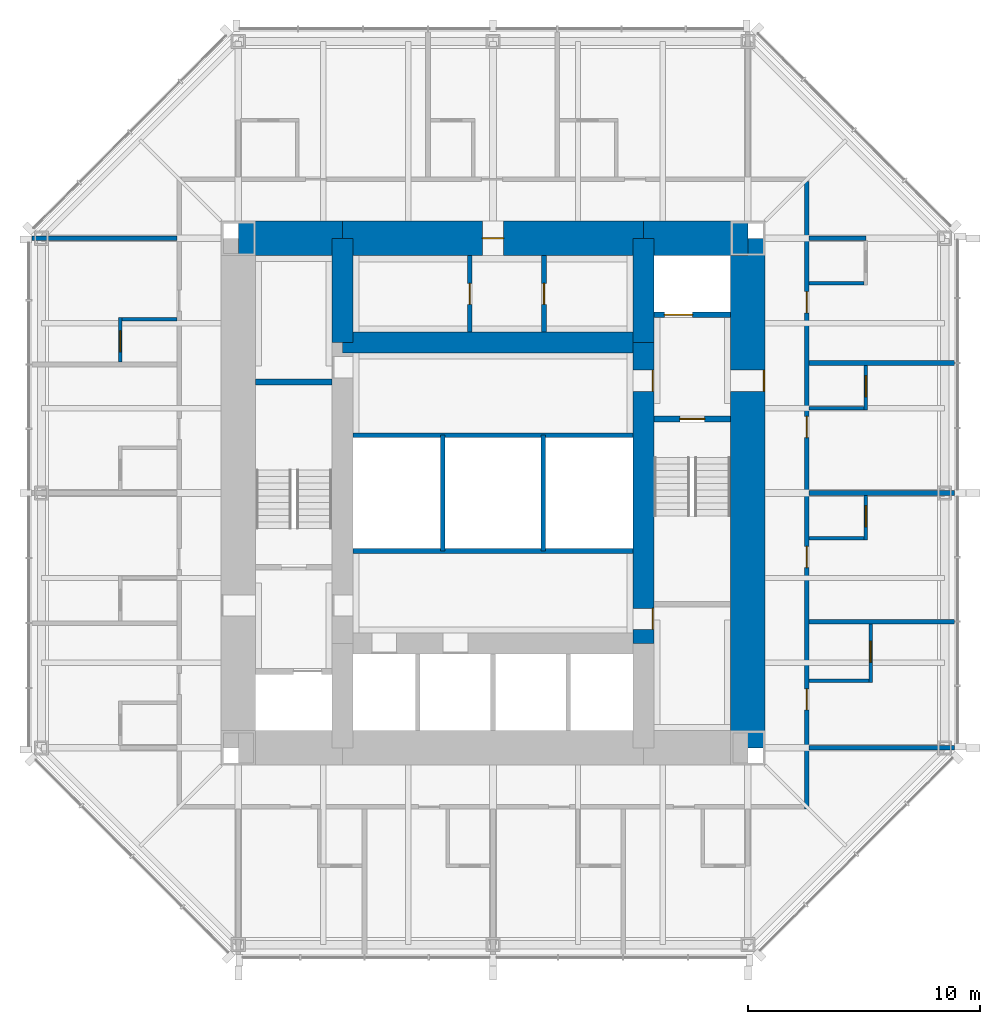
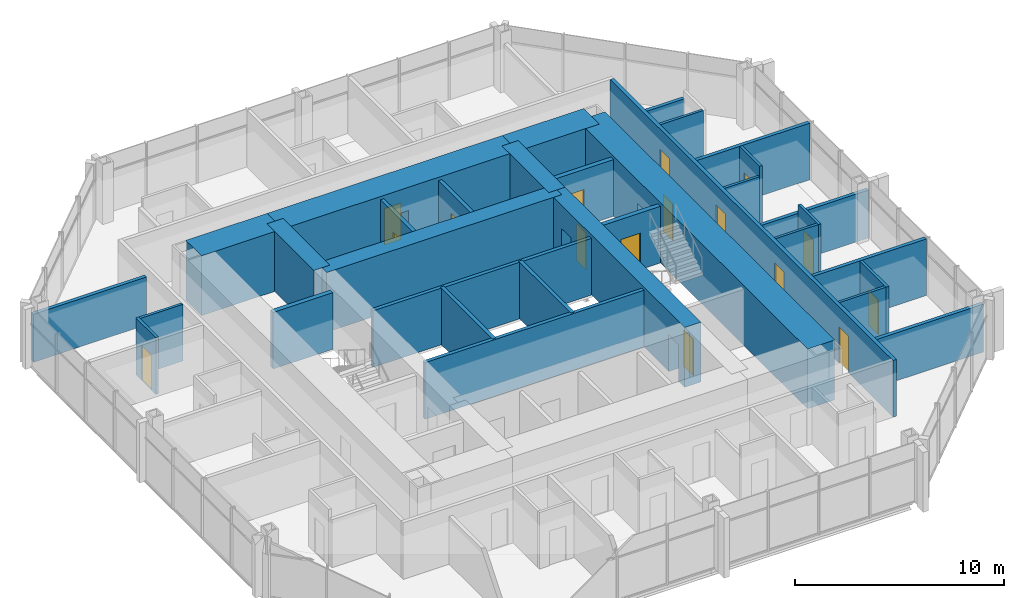
# One storey, part 9 of 12: 33 walls, 16 doors, 16 openings.
"""IFC4 building model written with IfcOpenShell, lengths in metres."""

from ifc_helpers import new_model, si_unit, direction, frame, frame_2d, origin, place, context, subcontext, project, spatial, rectangle, extrude, material, layer, layer_set, type_object, element, fill, save


model = new_model("IFC4")

# Units and contexts
model_context = context("Model", 3, precision=1e-05, world=origin(), true_north=direction((0.0, 1.0)))
body_context = subcontext(model_context, "Body", "Model", "MODEL_VIEW")
ifc_project = project(units=[si_unit("LENGTHUNIT", "METRE"), si_unit("AREAUNIT", "SQUARE_METRE"), si_unit("VOLUMEUNIT", "CUBIC_METRE"), si_unit("PLANEANGLEUNIT", "RADIAN"), si_unit("MASSUNIT", "GRAM", prefix="KILO")], contexts=[model_context])

# Site, building, storey
site_placement = place(None, origin())
site = spatial("IfcSite", under=ifc_project, at=site_placement, CompositionType="ELEMENT")
building_placement = place(site_placement, origin())
building = spatial("IfcBuilding", under=site, at=building_placement, Name="Trevanion Tower", CompositionType="ELEMENT")
storey_placement = place(building_placement, frame((0.0, 0.0, 201.199951171875)))
storey = spatial("IfcBuildingStorey", under=building, at=storey_placement, Name="L47", CompositionType="ELEMENT", Elevation=201.199951171875)

# Wall, opening, door
ifc_material_1 = material(Name="Concrete 10,000 psi", Category="concrete")
ifc_layer_1 = layer(ifc_material_1, 1.5)
ifc_layer_set_1 = layer_set([ifc_layer_1], Name="CW1 core wall 1500")
wall_type_1 = type_object("IfcWallType", Name="CW1 core wall 1500", PredefinedType="SHEAR", material=ifc_layer_set_1)
wall_1_placement = place(storey_placement, frame((11.0, -11.0, 0.0), z_axis=(0.0, 0.0, 1.0), x_axis=(0.0, 1.0, 0.0)))
wall_1 = element("IfcWall", 1, at=wall_1_placement, inside=storey, type_object=wall_type_1, Name="CW1 CE L47", PredefinedType="SHEAR", context=body_context, shape_type="SweptSolid", body=[
    extrude(rectangle(XDim=22.0, YDim=1.5, at=frame_2d((11.0, 0.0))), origin(), (0.0, 0.0, 1.0), 3.5),
])
opening_1_placement = place(wall_1_placement, frame((15.392578125, 0.0, 0.0)))
opening_1 = element("IfcOpeningElement", 2, at=opening_1_placement, cuts=wall_1, Name="Opening 47-001", PredefinedType="OPENING", context=body_context, shape_type="SweptSolid", body=[
    extrude(rectangle(XDim=0.9150390625, YDim=2.134033203125, at=frame_2d((0.45751953125, 1.06689453125))), frame((0.0, 0.760009765625, 0.0), z_axis=(0.0, -1.0, 0.0), x_axis=(1.0, 0.0, 0.0)), (0.0, 0.0, 1.0), 1.52001953125),
])
ifc_material_2 = material(Name="Hollow metal, fire rated", Category="steel")
door_type_1 = type_object("IfcDoorType", Name="D3 fire lift lobby door", OperationType="SINGLE_SWING_RIGHT", PredefinedType="DOOR", material=ifc_material_2)
door_1_placement = place(opening_1_placement, origin())
door_1 = element("IfcDoor", 3, at=door_1_placement, inside=storey, type_object=door_type_1, Name="Door 47-001", OperationType="SINGLE_SWING_RIGHT", OverallHeight=2.134033203125, OverallWidth=0.9150390625, PredefinedType="DOOR", context=body_context, shape_type="SweptSolid", body=[
    extrude(rectangle(XDim=0.9150390625, YDim=2.134033203125, at=frame_2d((0.45751953125, 1.06689453125))), frame((0.0, -0.6748046875, 0.0), z_axis=(0.0, -1.0, 0.0), x_axis=(1.0, 0.0, 0.0)), (0.0, 0.0, 1.0), 0.050048828125),
])
fill(opening_1, door_1)

# Wall
wall_2_placement = place(storey_placement, frame((11.0, 11.0, 0.0), z_axis=(0.0, 0.0, 1.0), x_axis=(-1.0, 0.0, 0.0)))
element("IfcWall", 4, at=wall_2_placement, inside=storey, type_object=wall_type_1, Name="CW1 CN1 L47", PredefinedType="SHEAR", context=body_context, shape_type="SweptSolid", body=[
    extrude(rectangle(XDim=4.5, YDim=1.5, at=frame_2d((2.25, 0.0))), origin(), (0.0, 0.0, 1.0), 3.5),
])

# Wall, opening, door
wall_3_placement = place(storey_placement, frame((6.5, 11.0, 0.0), z_axis=(0.0, 0.0, 1.0), x_axis=(-1.0, 0.0, 0.0)))
wall_3 = element("IfcWall", 5, at=wall_3_placement, inside=storey, type_object=wall_type_1, Name="CW1 CN2 L47", PredefinedType="SHEAR", context=body_context, shape_type="SweptSolid", body=[
    extrude(rectangle(XDim=13.0, YDim=1.5, at=frame_2d((6.5, 0.0))), origin(), (0.0, 0.0, 1.0), 3.5),
])
opening_2_placement = place(wall_3_placement, frame((6.04248046875, 0.0, 0.0)))
opening_2 = element("IfcOpeningElement", 6, at=opening_2_placement, cuts=wall_3, Name="Opening 47-013", PredefinedType="OPENING", context=body_context, shape_type="SweptSolid", body=[
    extrude(rectangle(XDim=0.9150390625, YDim=2.134033203125, at=frame_2d((0.45751953125, 1.06689453125))), frame((0.0, 0.760009765625, 0.0), z_axis=(0.0, -1.0, 0.0), x_axis=(1.0, 0.0, 0.0)), (0.0, 0.0, 1.0), 1.52001953125),
])
ifc_material_3 = material(Name="Hollow metal, fire rated", Category="steel")
door_type_2 = type_object("IfcDoorType", Name="D5 service room door", OperationType="SINGLE_SWING_RIGHT", PredefinedType="DOOR", material=ifc_material_3)
door_2_placement = place(opening_2_placement, origin())
door_2 = element("IfcDoor", 7, at=door_2_placement, inside=storey, type_object=door_type_2, Name="Door 47-013", OperationType="SINGLE_SWING_RIGHT", OverallHeight=2.134033203125, OverallWidth=0.9150390625, PredefinedType="DOOR", context=body_context, shape_type="SweptSolid", body=[
    extrude(rectangle(XDim=0.9150390625, YDim=2.134033203125, at=frame_2d((0.45751953125, 1.06689453125))), frame((0.0, 0.02490234375, 0.0), z_axis=(0.0, -1.0, 0.0), x_axis=(1.0, 0.0, 0.0)), (0.0, 0.0, 1.0), 0.050048828125),
])
fill(opening_2, door_2)

# Wall
wall_4_placement = place(storey_placement, frame((-6.5, 11.0, 0.0), z_axis=(0.0, 0.0, 1.0), x_axis=(-1.0, 0.0, 0.0)))
element("IfcWall", 8, at=wall_4_placement, inside=storey, type_object=wall_type_1, Name="CW1 CN3 L47", PredefinedType="SHEAR", context=body_context, shape_type="SweptSolid", body=[
    extrude(rectangle(XDim=4.5, YDim=1.5, at=frame_2d((2.25, 0.0))), origin(), (0.0, 0.0, 1.0), 3.5),
])

# Wall, openings, doors
ifc_material_4 = material(Name="Concrete 10,000 psi", Category="concrete")
ifc_layer_2 = layer(ifc_material_4, 0.89990234375)
ifc_layer_set_2 = layer_set([ifc_layer_2], Name="CW2 core wall 900")
wall_type_2 = type_object("IfcWallType", Name="CW2 core wall 900", PredefinedType="SHEAR", material=ifc_layer_set_2)
wall_5_placement = place(storey_placement, frame((6.5, -6.5, 0.0), z_axis=(0.0, 0.0, 1.0), x_axis=(0.0, 1.0, 0.0)))
wall_5 = element("IfcWall", 9, at=wall_5_placement, inside=storey, type_object=wall_type_2, Name="CW2 RE2 L47", PredefinedType="SHEAR", context=body_context, shape_type="SweptSolid", body=[
    extrude(rectangle(XDim=13.0, YDim=0.89990234375, at=frame_2d((6.5, 0.0))), origin(), (0.0, 0.0, 1.0), 3.5),
])
opening_3_placement = place(wall_5_placement, frame((10.892578125, 0.0, 0.0)))
opening_3 = element("IfcOpeningElement", 10, at=opening_3_placement, cuts=wall_5, Name="Opening 47-003", PredefinedType="OPENING", context=body_context, shape_type="SweptSolid", body=[
    extrude(rectangle(XDim=0.9150390625, YDim=2.134033203125, at=frame_2d((0.45751953125, 1.06689453125))), frame((0.0, 0.4599609375, 0.0), z_axis=(0.0, -1.0, 0.0), x_axis=(1.0, 0.0, 0.0)), (0.0, 0.0, 1.0), 0.919921875),
])
opening_4_placement = place(wall_5_placement, frame((0.610107421875, 0.0, 0.0)))
opening_4 = element("IfcOpeningElement", 11, at=opening_4_placement, cuts=wall_5, Name="Opening 47-009", PredefinedType="OPENING", context=body_context, shape_type="SweptSolid", body=[
    extrude(rectangle(XDim=0.9150390625, YDim=2.134033203125, at=frame_2d((0.45751953125, 1.06689453125))), frame((0.0, 0.4599609375, 0.0), z_axis=(0.0, -1.0, 0.0), x_axis=(1.0, 0.0, 0.0)), (0.0, 0.0, 1.0), 0.919921875),
])
door_3_placement = place(opening_3_placement, origin())
door_3 = element("IfcDoor", 12, at=door_3_placement, inside=storey, type_object=door_type_1, Name="Door 47-003", OperationType="SINGLE_SWING_RIGHT", OverallHeight=2.134033203125, OverallWidth=0.9150390625, PredefinedType="DOOR", context=body_context, shape_type="SweptSolid", body=[
    extrude(rectangle(XDim=0.9150390625, YDim=2.134033203125, at=frame_2d((0.45751953125, 1.06689453125))), frame((0.0, -0.375, 0.0), z_axis=(0.0, -1.0, 0.0), x_axis=(1.0, 0.0, 0.0)), (0.0, 0.0, 1.0), 0.050048828125),
])
fill(opening_3, door_3)
door_4_placement = place(opening_4_placement, origin())
door_4 = element("IfcDoor", 13, at=door_4_placement, inside=storey, type_object=door_type_2, Name="Door 47-009", OperationType="SINGLE_SWING_RIGHT", OverallHeight=2.134033203125, OverallWidth=0.9150390625, PredefinedType="DOOR", context=body_context, shape_type="SweptSolid", body=[
    extrude(rectangle(XDim=0.9150390625, YDim=2.134033203125, at=frame_2d((0.45751953125, 1.06689453125))), frame((0.0, -0.375, 0.0), z_axis=(0.0, -1.0, 0.0), x_axis=(1.0, 0.0, 0.0)), (0.0, 0.0, 1.0), 0.050048828125),
])
fill(opening_4, door_4)

# Walls
for number, where, z_axis, x_axis, name in (
    (14, (6.5, 6.5, 0.0), (0.0, 0.0, 1.0), (0.0, 1.0, 0.0), "CW2 RE3 L47"),
    (15, (-6.5, 11.0, 0.0), (0.0, 0.0, 1.0), (0.0, -1.0, 0.0), "CW2 RW1 L47"),
):
    element("IfcWall", number, at=place(storey_placement, frame(where, z_axis=z_axis, x_axis=x_axis)), inside=storey, type_object=wall_type_2, Name=name, PredefinedType="SHEAR", context=body_context, shape_type="SweptSolid", body=[
        extrude(rectangle(XDim=4.5, YDim=0.89990234375, at=frame_2d((2.25, 0.0))), origin(), (0.0, 0.0, 1.0), 3.5),
    ])
wall_6_placement = place(storey_placement, frame((6.5, 6.5, 0.0), z_axis=(0.0, 0.0, 1.0), x_axis=(-1.0, 0.0, 0.0)))
element("IfcWall", 16, at=wall_6_placement, inside=storey, type_object=wall_type_2, Name="CW2 RN L47", PredefinedType="SHEAR", context=body_context, shape_type="SweptSolid", body=[
    extrude(rectangle(XDim=13.0, YDim=0.89990234375, at=frame_2d((6.5, 0.0))), origin(), (0.0, 0.0, 1.0), 3.5),
])

# Wall, opening, door
ifc_material_5 = material(Name="Gypsum board on steel studs", Category="steel")
ifc_layer_3 = layer(ifc_material_5, 0.14990234375)
ifc_layer_set_3 = layer_set([ifc_layer_3], Name="PT1 partition 150")
wall_type_3 = type_object("IfcWallType", Name="PT1 partition 150", PredefinedType="PARTITIONING", material=ifc_layer_set_3)
wall_7_placement = place(storey_placement, frame((16.300048828125, -8.174072265625, 0.0), z_axis=(0.0, 0.0, 1.0), x_axis=(0.0, 1.0, 0.0)))
wall_7 = element("IfcWall", 17, at=wall_7_placement, inside=storey, type_object=wall_type_3, Name="PT1 L47 BA00", PredefinedType="PARTITIONING", context=body_context, shape_type="SweptSolid", body=[
    extrude(rectangle(XDim=2.525146484375, YDim=0.14990234375, at=frame_2d((1.2626953125, 0.0))), origin(), (0.0, 0.0, 1.0), 3.31005859375),
])
opening_5_placement = place(wall_7_placement, frame((0.867431640625, 0.0, 0.0)))
opening_5 = element("IfcOpeningElement", 18, at=opening_5_placement, cuts=wall_7, Name="Opening 47-016", PredefinedType="OPENING", context=body_context, shape_type="SweptSolid", body=[
    extrude(rectangle(XDim=0.9150390625, YDim=2.031982421875, at=frame_2d((0.45751953125, 1.01611328125))), frame((0.0, 0.0849609375, 0.0), z_axis=(0.0, -1.0, 0.0), x_axis=(1.0, 0.0, 0.0)), (0.0, 0.0, 1.0), 0.169921875),
])
ifc_material_6 = material(Name="Timber veneer", Category="wood")
door_type_3 = type_object("IfcDoorType", Name="D7 bathroom door", OperationType="SINGLE_SWING_LEFT", PredefinedType="DOOR", material=ifc_material_6)
door_5_placement = place(opening_5_placement, origin())
door_5 = element("IfcDoor", 19, at=door_5_placement, inside=storey, type_object=door_type_3, Name="Door 47-016", OperationType="SINGLE_SWING_LEFT", OverallHeight=2.031982421875, OverallWidth=0.9150390625, PredefinedType="DOOR", context=body_context, shape_type="SweptSolid", body=[
    extrude(rectangle(XDim=0.9150390625, YDim=2.031982421875, at=frame_2d((0.45751953125, 1.01611328125))), frame((0.0, 0.02490234375, 0.0), z_axis=(0.0, -1.0, 0.0), x_axis=(1.0, 0.0, 0.0)), (0.0, 0.0, 1.0), 0.050048828125),
])
fill(opening_5, door_5)

# Wall
wall_8_placement = place(storey_placement, frame((13.64990234375, -8.09912109375, 0.0), z_axis=(0.0, 0.0, 1.0), x_axis=(1.0, 0.0, 0.0)))
element("IfcWall", 20, at=wall_8_placement, inside=storey, type_object=wall_type_3, Name="PT1 L47 BB00", PredefinedType="PARTITIONING", context=body_context, shape_type="SweptSolid", body=[
    extrude(rectangle(XDim=2.5751953125, YDim=0.14990234375, at=frame_2d((1.28759765625, 0.0))), origin(), (0.0, 0.0, 1.0), 3.31005859375),
])

# Wall, opening, door
wall_9_placement = place(storey_placement, frame((16.10009765625, -2.02490234375, 0.0), z_axis=(0.0, 0.0, 1.0), x_axis=(0.0, 1.0, 0.0)))
wall_9 = element("IfcWall", 21, at=wall_9_placement, inside=storey, type_object=wall_type_3, Name="PT1 L47 BA01", PredefinedType="PARTITIONING", context=body_context, shape_type="SweptSolid", body=[
    extrude(rectangle(XDim=1.9248046875, YDim=0.14990234375, at=frame_2d((0.96240234375, 0.0))), origin(), (0.0, 0.0, 1.0), 3.31005859375),
])
opening_6_placement = place(wall_9_placement, frame((0.5673828125, 0.0, 0.0)))
opening_6 = element("IfcOpeningElement", 22, at=opening_6_placement, cuts=wall_9, Name="Opening 47-018", PredefinedType="OPENING", context=body_context, shape_type="SweptSolid", body=[
    extrude(rectangle(XDim=0.9150390625, YDim=2.031982421875, at=frame_2d((0.45751953125, 1.01611328125))), frame((0.0, 0.0849609375, 0.0), z_axis=(0.0, -1.0, 0.0), x_axis=(1.0, 0.0, 0.0)), (0.0, 0.0, 1.0), 0.169921875),
])
door_6_placement = place(opening_6_placement, origin())
door_6 = element("IfcDoor", 23, at=door_6_placement, inside=storey, type_object=door_type_3, Name="Door 47-018", OperationType="SINGLE_SWING_LEFT", OverallHeight=2.031982421875, OverallWidth=0.9150390625, PredefinedType="DOOR", context=body_context, shape_type="SweptSolid", body=[
    extrude(rectangle(XDim=0.9150390625, YDim=2.031982421875, at=frame_2d((0.45751953125, 1.01611328125))), frame((0.0, 0.02490234375, 0.0), z_axis=(0.0, -1.0, 0.0), x_axis=(1.0, 0.0, 0.0)), (0.0, 0.0, 1.0), 0.050048828125),
])
fill(opening_6, door_6)

# Wall
wall_10_placement = place(storey_placement, frame((13.64990234375, -1.949951171875, 0.0), z_axis=(0.0, 0.0, 1.0), x_axis=(1.0, 0.0, 0.0)))
element("IfcWall", 24, at=wall_10_placement, inside=storey, type_object=wall_type_3, Name="PT1 L47 BB01", PredefinedType="PARTITIONING", context=body_context, shape_type="SweptSolid", body=[
    extrude(rectangle(XDim=2.375, YDim=0.14990234375, at=frame_2d((1.1875, 0.0))), origin(), (0.0, 0.0, 1.0), 3.31005859375),
])

# Wall, opening, door
wall_11_placement = place(storey_placement, frame((16.10009765625, 3.589111328125, 0.0), z_axis=(0.0, 0.0, 1.0), x_axis=(0.0, 1.0, 0.0)))
wall_11 = element("IfcWall", 25, at=wall_11_placement, inside=storey, type_object=wall_type_3, Name="PT1 L47 BA02", PredefinedType="PARTITIONING", context=body_context, shape_type="SweptSolid", body=[
    extrude(rectangle(XDim=1.9248046875, YDim=0.14990234375, at=frame_2d((0.96240234375, 0.0))), origin(), (0.0, 0.0, 1.0), 3.31005859375),
])
opening_7_placement = place(wall_11_placement, frame((0.5673828125, 0.0, 0.0)))
opening_7 = element("IfcOpeningElement", 26, at=opening_7_placement, cuts=wall_11, Name="Opening 47-020", PredefinedType="OPENING", context=body_context, shape_type="SweptSolid", body=[
    extrude(rectangle(XDim=0.9150390625, YDim=2.031982421875, at=frame_2d((0.45751953125, 1.01611328125))), frame((0.0, 0.0849609375, 0.0), z_axis=(0.0, -1.0, 0.0), x_axis=(1.0, 0.0, 0.0)), (0.0, 0.0, 1.0), 0.169921875),
])
door_7_placement = place(opening_7_placement, origin())
door_7 = element("IfcDoor", 27, at=door_7_placement, inside=storey, type_object=door_type_3, Name="Door 47-020", OperationType="SINGLE_SWING_LEFT", OverallHeight=2.031982421875, OverallWidth=0.9150390625, PredefinedType="DOOR", context=body_context, shape_type="SweptSolid", body=[
    extrude(rectangle(XDim=0.9150390625, YDim=2.031982421875, at=frame_2d((0.45751953125, 1.01611328125))), frame((0.0, 0.02490234375, 0.0), z_axis=(0.0, -1.0, 0.0), x_axis=(1.0, 0.0, 0.0)), (0.0, 0.0, 1.0), 0.050048828125),
])
fill(opening_7, door_7)

# Walls
wall_12_placement = place(storey_placement, frame((13.64990234375, 3.6640625, 0.0), z_axis=(0.0, 0.0, 1.0), x_axis=(1.0, 0.0, 0.0)))
element("IfcWall", 28, at=wall_12_placement, inside=storey, type_object=wall_type_3, Name="PT1 L47 BB02", PredefinedType="PARTITIONING", context=body_context, shape_type="SweptSolid", body=[
    extrude(rectangle(XDim=2.375, YDim=0.14990234375, at=frame_2d((1.1875, 0.0))), origin(), (0.0, 0.0, 1.0), 2.703125),
])
wall_13_placement = place(storey_placement, frame((13.64990234375, 9.050048828125, 0.0), z_axis=(0.0, 0.0, 1.0), x_axis=(1.0, 0.0, 0.0)))
element("IfcWall", 29, at=wall_13_placement, inside=storey, type_object=wall_type_3, Name="PT1 L47 BB03", PredefinedType="PARTITIONING", context=body_context, shape_type="SweptSolid", body=[
    extrude(rectangle(XDim=2.375, YDim=0.14990234375, at=frame_2d((1.1875, 0.0))), origin(), (0.0, 0.0, 1.0), 3.31005859375),
])

# Wall, opening, door
wall_14_placement = place(storey_placement, frame((-16.10009765625, 7.573974609375, 0.0), z_axis=(0.0, 0.0, 1.0), x_axis=(0.0, -1.0, 0.0)))
wall_14 = element("IfcWall", 30, at=wall_14_placement, inside=storey, type_object=wall_type_3, Name="PT1 L47 BA20", PredefinedType="PARTITIONING", context=body_context, shape_type="SweptSolid", body=[
    extrude(rectangle(XDim=1.925048828125, YDim=0.14990234375, at=frame_2d((0.96240234375, 0.0))), origin(), (0.0, 0.0, 1.0), 3.31005859375),
])
opening_8_placement = place(wall_14_placement, frame((0.5673828125, 0.0, 0.0)))
opening_8 = element("IfcOpeningElement", 31, at=opening_8_placement, cuts=wall_14, Name="Opening 47-030", PredefinedType="OPENING", context=body_context, shape_type="SweptSolid", body=[
    extrude(rectangle(XDim=0.9150390625, YDim=2.031982421875, at=frame_2d((0.45751953125, 1.01611328125))), frame((0.0, 0.0849609375, 0.0), z_axis=(0.0, -1.0, 0.0), x_axis=(1.0, 0.0, 0.0)), (0.0, 0.0, 1.0), 0.169921875),
])
door_8_placement = place(opening_8_placement, origin())
door_8 = element("IfcDoor", 32, at=door_8_placement, inside=storey, type_object=door_type_3, Name="Door 47-030", OperationType="SINGLE_SWING_LEFT", OverallHeight=2.031982421875, OverallWidth=0.9150390625, PredefinedType="DOOR", context=body_context, shape_type="SweptSolid", body=[
    extrude(rectangle(XDim=0.9150390625, YDim=2.031982421875, at=frame_2d((0.45751953125, 1.01611328125))), frame((0.0, 0.02490234375, 0.0), z_axis=(0.0, -1.0, 0.0), x_axis=(1.0, 0.0, 0.0)), (0.0, 0.0, 1.0), 0.050048828125),
])
fill(opening_8, door_8)

# Walls
wall_15_placement = place(storey_placement, frame((-13.64990234375, 7.4990234375, 0.0), z_axis=(0.0, 0.0, 1.0), x_axis=(-1.0, 0.0, 0.0)))
element("IfcWall", 33, at=wall_15_placement, inside=storey, type_object=wall_type_3, Name="PT1 L47 BB20", PredefinedType="PARTITIONING", context=body_context, shape_type="SweptSolid", body=[
    extrude(rectangle(XDim=2.375, YDim=0.14990234375, at=frame_2d((1.1875, 0.0))), origin(), (0.0, 0.0, 1.0), 3.31005859375),
])
ifc_material_7 = material(Name="Concrete masonry, grouted", Category="masonry")
ifc_layer_4 = layer(ifc_material_7, 0.199951171875)
ifc_layer_set_4 = layer_set([ifc_layer_4], Name="PT2 partition 200 1 HR")
wall_type_4 = type_object("IfcWallType", Name="PT2 partition 200 1 HR", PredefinedType="PARTITIONING", material=ifc_layer_set_4)
for number, where, z_axis, x_axis, name in (
    (34, (-6.050048828125, 2.5, 0.0), (0.0, 0.0, 1.0), (1.0, 0.0, 0.0), "PT2 L47 CP1"),
    (35, (6.050048828125, -2.5, 0.0), (0.0, 0.0, 1.0), (-1.0, 0.0, 0.0), "PT2 L47 CP2"),
):
    element("IfcWall", number, at=place(storey_placement, frame(where, z_axis=z_axis, x_axis=x_axis)), inside=storey, type_object=wall_type_4, Name=name, PredefinedType="PARTITIONING", context=body_context, shape_type="SweptSolid", body=[
        extrude(rectangle(XDim=12.10009765625, YDim=0.199951171875, at=frame_2d((6.050048828125, 0.0))), origin(), (0.0, 0.0, 1.0), 3.31005859375),
    ])

# Wall, opening, door
wall_16_placement = place(storey_placement, frame((-1.0, 6.949951171875, 0.0), z_axis=(0.0, 0.0, 1.0), x_axis=(0.0, 1.0, 0.0)))
wall_16 = element("IfcWall", 36, at=wall_16_placement, inside=storey, type_object=wall_type_4, Name="PT2 L47 HKP1", PredefinedType="PARTITIONING", context=body_context, shape_type="SweptSolid", body=[
    extrude(rectangle(XDim=3.300048828125, YDim=0.199951171875, at=frame_2d((1.64990234375, 0.0))), origin(), (0.0, 0.0, 1.0), 3.31005859375),
])
opening_9_placement = place(wall_16_placement, frame((1.1923828125, 0.0, 0.0)))
opening_9 = element("IfcOpeningElement", 37, at=opening_9_placement, cuts=wall_16, Name="Opening 47-014", PredefinedType="OPENING", context=body_context, shape_type="SweptSolid", body=[
    extrude(rectangle(XDim=0.9150390625, YDim=2.134033203125, at=frame_2d((0.45751953125, 1.06689453125))), frame((0.0, 0.10986328125, 0.0), z_axis=(0.0, -1.0, 0.0), x_axis=(1.0, 0.0, 0.0)), (0.0, 0.0, 1.0), 0.219970703125),
])
door_9_placement = place(opening_9_placement, origin())
door_9 = element("IfcDoor", 38, at=door_9_placement, inside=storey, type_object=door_type_2, Name="Door 47-014", OperationType="SINGLE_SWING_RIGHT", OverallHeight=2.134033203125, OverallWidth=0.9150390625, PredefinedType="DOOR", context=body_context, shape_type="SweptSolid", body=[
    extrude(rectangle(XDim=0.9150390625, YDim=2.134033203125, at=frame_2d((0.45751953125, 1.06689453125))), frame((0.0, 0.02490234375, 0.0), z_axis=(0.0, -1.0, 0.0), x_axis=(1.0, 0.0, 0.0)), (0.0, 0.0, 1.0), 0.050048828125),
])
fill(opening_9, door_9)

wall_17_placement = place(storey_placement, frame((2.199951171875, 6.949951171875, 0.0), z_axis=(0.0, 0.0, 1.0), x_axis=(0.0, 1.0, 0.0)))
wall_17 = element("IfcWall", 39, at=wall_17_placement, inside=storey, type_object=wall_type_4, Name="PT2 L47 HKP2", PredefinedType="PARTITIONING", context=body_context, shape_type="SweptSolid", body=[
    extrude(rectangle(XDim=3.300048828125, YDim=0.199951171875, at=frame_2d((1.64990234375, 0.0))), origin(), (0.0, 0.0, 1.0), 3.31005859375),
])
opening_10_placement = place(wall_17_placement, frame((1.1923828125, 0.0, 0.0)))
opening_10 = element("IfcOpeningElement", 40, at=opening_10_placement, cuts=wall_17, Name="Opening 47-015", PredefinedType="OPENING", context=body_context, shape_type="SweptSolid", body=[
    extrude(rectangle(XDim=0.9150390625, YDim=2.134033203125, at=frame_2d((0.45751953125, 1.06689453125))), frame((0.0, 0.10986328125, 0.0), z_axis=(0.0, -1.0, 0.0), x_axis=(1.0, 0.0, 0.0)), (0.0, 0.0, 1.0), 0.219970703125),
])
door_10_placement = place(opening_10_placement, origin())
door_10 = element("IfcDoor", 41, at=door_10_placement, inside=storey, type_object=door_type_2, Name="Door 47-015", OperationType="SINGLE_SWING_RIGHT", OverallHeight=2.134033203125, OverallWidth=0.9150390625, PredefinedType="DOOR", context=body_context, shape_type="SweptSolid", body=[
    extrude(rectangle(XDim=0.9150390625, YDim=2.134033203125, at=frame_2d((0.45751953125, 1.06689453125))), frame((0.0, 0.02490234375, 0.0), z_axis=(0.0, -1.0, 0.0), x_axis=(1.0, 0.0, 0.0)), (0.0, 0.0, 1.0), 0.050048828125),
])
fill(opening_10, door_10)

# Wall, openings, doors
wall_18_placement = place(storey_placement, frame((13.550048828125, -13.64990234375, 0.0), z_axis=(0.0, 0.0, 1.0), x_axis=(0.0, 1.0, 0.0)))
wall_18 = element("IfcWall", 42, at=wall_18_placement, inside=storey, type_object=wall_type_4, Name="PT2 L47 HC0", PredefinedType="PARTITIONING", context=body_context, shape_type="SweptSolid", body=[
    extrude(rectangle(XDim=27.099853515625, YDim=0.199951171875, at=frame_2d((13.5498046875, 0.0))), origin(), (0.0, 0.0, 1.0), 3.31005859375),
])
opening_11_placement = place(wall_18_placement, frame((4.283447265625, 0.0, 0.0)))
opening_11 = element("IfcOpeningElement", 43, at=opening_11_placement, cuts=wall_18, Name="Opening 47-017", PredefinedType="OPENING", context=body_context, shape_type="SweptSolid", body=[
    extrude(rectangle(XDim=0.9150390625, YDim=2.134033203125, at=frame_2d((0.45751953125, 1.06689453125))), frame((0.0, 0.10986328125, 0.0), z_axis=(0.0, -1.0, 0.0), x_axis=(1.0, 0.0, 0.0)), (0.0, 0.0, 1.0), 0.219970703125),
])
opening_12_placement = place(wall_18_placement, frame((10.4326171875, 0.0, 0.0)))
opening_12 = element("IfcOpeningElement", 44, at=opening_12_placement, cuts=wall_18, Name="Opening 47-019", PredefinedType="OPENING", context=body_context, shape_type="SweptSolid", body=[
    extrude(rectangle(XDim=0.9150390625, YDim=2.134033203125, at=frame_2d((0.45751953125, 1.06689453125))), frame((0.0, 0.10986328125, 0.0), z_axis=(0.0, -1.0, 0.0), x_axis=(1.0, 0.0, 0.0)), (0.0, 0.0, 1.0), 0.219970703125),
])
opening_13_placement = place(wall_18_placement, frame((16.04638671875, 0.0, 0.0)))
opening_13 = element("IfcOpeningElement", 45, at=opening_13_placement, cuts=wall_18, Name="Opening 47-021", PredefinedType="OPENING", context=body_context, shape_type="SweptSolid", body=[
    extrude(rectangle(XDim=0.9150390625, YDim=2.134033203125, at=frame_2d((0.45751953125, 1.06689453125))), frame((0.0, 0.10986328125, 0.0), z_axis=(0.0, -1.0, 0.0), x_axis=(1.0, 0.0, 0.0)), (0.0, 0.0, 1.0), 0.219970703125),
])
opening_14_placement = place(wall_18_placement, frame((21.4326171875, 0.0, 0.0)))
opening_14 = element("IfcOpeningElement", 46, at=opening_14_placement, cuts=wall_18, Name="Opening 47-023", PredefinedType="OPENING", context=body_context, shape_type="SweptSolid", body=[
    extrude(rectangle(XDim=0.9150390625, YDim=2.134033203125, at=frame_2d((0.45751953125, 1.06689453125))), frame((0.0, 0.10986328125, 0.0), z_axis=(0.0, -1.0, 0.0), x_axis=(1.0, 0.0, 0.0)), (0.0, 0.0, 1.0), 0.219970703125),
])
ifc_material_8 = material(Name="Timber veneer, fire rated", Category="wood")
door_type_4 = type_object("IfcDoorType", Name="D6 guest room entrance door", OperationType="SINGLE_SWING_LEFT", PredefinedType="DOOR", material=ifc_material_8)
door_11_placement = place(opening_11_placement, origin())
door_11 = element("IfcDoor", 47, at=door_11_placement, inside=storey, type_object=door_type_4, Name="Door 47-017", OperationType="SINGLE_SWING_LEFT", OverallHeight=2.134033203125, OverallWidth=0.9150390625, PredefinedType="DOOR", context=body_context, shape_type="SweptSolid", body=[
    extrude(rectangle(XDim=0.9150390625, YDim=2.134033203125, at=frame_2d((0.45751953125, 1.06689453125))), frame((0.0, 0.02490234375, 0.0), z_axis=(0.0, -1.0, 0.0), x_axis=(1.0, 0.0, 0.0)), (0.0, 0.0, 1.0), 0.050048828125),
])
fill(opening_11, door_11)
door_12_placement = place(opening_12_placement, origin())
door_12 = element("IfcDoor", 48, at=door_12_placement, inside=storey, type_object=door_type_4, Name="Door 47-019", OperationType="SINGLE_SWING_LEFT", OverallHeight=2.134033203125, OverallWidth=0.9150390625, PredefinedType="DOOR", context=body_context, shape_type="SweptSolid", body=[
    extrude(rectangle(XDim=0.9150390625, YDim=2.134033203125, at=frame_2d((0.45751953125, 1.06689453125))), frame((0.0, 0.02490234375, 0.0), z_axis=(0.0, -1.0, 0.0), x_axis=(1.0, 0.0, 0.0)), (0.0, 0.0, 1.0), 0.050048828125),
])
fill(opening_12, door_12)
door_13_placement = place(opening_13_placement, origin())
door_13 = element("IfcDoor", 49, at=door_13_placement, inside=storey, type_object=door_type_4, Name="Door 47-021", OperationType="SINGLE_SWING_LEFT", OverallHeight=2.134033203125, OverallWidth=0.9150390625, PredefinedType="DOOR", context=body_context, shape_type="SweptSolid", body=[
    extrude(rectangle(XDim=0.9150390625, YDim=2.134033203125, at=frame_2d((0.45751953125, 1.06689453125))), frame((0.0, 0.02490234375, 0.0), z_axis=(0.0, -1.0, 0.0), x_axis=(1.0, 0.0, 0.0)), (0.0, 0.0, 1.0), 0.050048828125),
])
fill(opening_13, door_13)
door_14_placement = place(opening_14_placement, origin())
door_14 = element("IfcDoor", 50, at=door_14_placement, inside=storey, type_object=door_type_4, Name="Door 47-023", OperationType="SINGLE_SWING_LEFT", OverallHeight=2.134033203125, OverallWidth=0.9150390625, PredefinedType="DOOR", context=body_context, shape_type="SweptSolid", body=[
    extrude(rectangle(XDim=0.9150390625, YDim=2.134033203125, at=frame_2d((0.45751953125, 1.06689453125))), frame((0.0, 0.02490234375, 0.0), z_axis=(0.0, -1.0, 0.0), x_axis=(1.0, 0.0, 0.0)), (0.0, 0.0, 1.0), 0.050048828125),
])
fill(opening_14, door_14)

# Walls
wall_19_placement = place(storey_placement, frame((13.64990234375, -11.0, 0.0), z_axis=(0.0, 0.0, 1.0), x_axis=(1.0, 0.0, 0.0)))
element("IfcWall", 51, at=wall_19_placement, inside=storey, type_object=wall_type_4, Name="PT2 L47 HD00", PredefinedType="PARTITIONING", context=body_context, shape_type="SweptSolid", body=[
    extrude(rectangle(XDim=6.26513671875, YDim=0.199951171875, at=frame_2d((3.132568359375, 0.0))), origin(), (0.0, 0.0, 1.0), 2.802001953125),
])
wall_20_placement = place(storey_placement, frame((13.64990234375, -5.549072265625, 0.0), z_axis=(0.0, 0.0, 1.0), x_axis=(1.0, 0.0, 0.0)))
element("IfcWall", 52, at=wall_20_placement, inside=storey, type_object=wall_type_4, Name="PT2 L47 HD01", PredefinedType="PARTITIONING", context=body_context, shape_type="SweptSolid", body=[
    extrude(rectangle(XDim=6.26513671875, YDim=0.199951171875, at=frame_2d((3.132568359375, 0.0))), origin(), (0.0, 0.0, 1.0), 3.31005859375),
])
wall_21_placement = place(storey_placement, frame((13.64990234375, 0.0, 0.0), z_axis=(0.0, 0.0, 1.0), x_axis=(1.0, 0.0, 0.0)))
element("IfcWall", 53, at=wall_21_placement, inside=storey, type_object=wall_type_4, Name="PT2 L47 HD02", PredefinedType="PARTITIONING", context=body_context, shape_type="SweptSolid", body=[
    extrude(rectangle(XDim=6.26513671875, YDim=0.199951171875, at=frame_2d((3.132568359375, 0.0))), origin(), (0.0, 0.0, 1.0), 2.802001953125),
])
wall_22_placement = place(storey_placement, frame((13.64990234375, 5.614013671875, 0.0), z_axis=(0.0, 0.0, 1.0), x_axis=(1.0, 0.0, 0.0)))
element("IfcWall", 54, at=wall_22_placement, inside=storey, type_object=wall_type_4, Name="PT2 L47 HD03", PredefinedType="PARTITIONING", context=body_context, shape_type="SweptSolid", body=[
    extrude(rectangle(XDim=6.26513671875, YDim=0.199951171875, at=frame_2d((3.132568359375, 0.0))), origin(), (0.0, 0.0, 1.0), 3.31005859375),
])
wall_23_placement = place(storey_placement, frame((13.64990234375, 11.0, 0.0), z_axis=(0.0, 0.0, 1.0), x_axis=(1.0, 0.0, 0.0)))
element("IfcWall", 55, at=wall_23_placement, inside=storey, type_object=wall_type_4, Name="PT2 L47 BC03", PredefinedType="PARTITIONING", context=body_context, shape_type="SweptSolid", body=[
    extrude(rectangle(XDim=2.4501953125, YDim=0.199951171875, at=frame_2d((1.22509765625, 0.0))), origin(), (0.0, 0.0, 1.0), 2.802001953125),
])
wall_24_placement = place(storey_placement, frame((-13.64990234375, 11.0, 0.0), z_axis=(0.0, 0.0, 1.0), x_axis=(-1.0, 0.0, 0.0)))
element("IfcWall", 56, at=wall_24_placement, inside=storey, type_object=wall_type_4, Name="PT2 L47 HD20", PredefinedType="PARTITIONING", context=body_context, shape_type="SweptSolid", body=[
    extrude(rectangle(XDim=6.26513671875, YDim=0.199951171875, at=frame_2d((3.132568359375, 0.0))), origin(), (0.0, 0.0, 1.0), 2.802001953125),
])
ifc_material_9 = material(Name="Concrete masonry, grouted", Category="masonry")
ifc_layer_5 = layer(ifc_material_9, 0.199951171875)
ifc_layer_set_5 = layer_set([ifc_layer_5], Name="PT2 partition 200 2 HR")
wall_type_5 = type_object("IfcWallType", Name="PT2 partition 200 2 HR", PredefinedType="PARTITIONING", material=ifc_layer_set_5)
for number, where, z_axis, x_axis, name in (
    (57, (-2.166748046875, -2.5, 0.0), (0.0, 0.0, 1.0), (0.0, 1.0, 0.0), "PT2 L47 MS0"),
    (58, (2.166748046875, -2.5, 0.0), (0.0, 0.0, 1.0), (0.0, 1.0, 0.0), "PT2 L47 MS1"),
):
    element("IfcWall", number, at=place(storey_placement, frame(where, z_axis=z_axis, x_axis=x_axis)), inside=storey, type_object=wall_type_5, Name=name, PredefinedType="PARTITIONING", context=body_context, shape_type="SweptSolid", body=[
        extrude(rectangle(XDim=5.0, YDim=0.199951171875, at=frame_2d((2.5, 0.0))), origin(), (0.0, 0.0, 1.0), 3.31005859375),
    ])

# Wall, opening, door
ifc_material_10 = material(Name="Concrete masonry, grouted, two-hour", Category="masonry")
ifc_layer_6 = layer(ifc_material_10, 0.25)
ifc_layer_set_6 = layer_set([ifc_layer_6], Name="PT3 partition 250 2 HR")
wall_type_6 = type_object("IfcWallType", Name="PT3 partition 250 2 HR", PredefinedType="PARTITIONING", material=ifc_layer_set_6)
wall_25_placement = place(storey_placement, frame((6.949951171875, 7.699951171875, 0.0), z_axis=(0.0, 0.0, 1.0), x_axis=(1.0, 0.0, 0.0)))
wall_25 = element("IfcWall", 59, at=wall_25_placement, inside=storey, type_object=wall_type_6, Name="PT3 L47 EP3", PredefinedType="PARTITIONING", context=body_context, shape_type="SweptSolid", body=[
    extrude(rectangle(XDim=3.300048828125, YDim=0.25, at=frame_2d((1.64990234375, 0.0))), origin(), (0.0, 0.0, 1.0), 3.31005859375),
])
opening_15_placement = place(wall_25_placement, frame((0.449951171875, 0.0, 0.0)))
opening_15 = element("IfcOpeningElement", 60, at=opening_15_placement, cuts=wall_25, Name="Opening 47-007", PredefinedType="OPENING", context=body_context, shape_type="SweptSolid", body=[
    extrude(rectangle(XDim=1.218994140625, YDim=2.134033203125, at=frame_2d((0.609375, 1.06689453125))), frame((0.0, 0.135009765625, 0.0), z_axis=(0.0, -1.0, 0.0), x_axis=(1.0, 0.0, 0.0)), (0.0, 0.0, 1.0), 0.27001953125),
])
ifc_material_11 = material(Name="Stainless steel, fire rated", Category="steel")
door_type_5 = type_object("IfcDoorType", Name="LD2 fire service lift landing door", OperationType="SLIDING_TO_LEFT", PredefinedType="DOOR", material=ifc_material_11)
door_15_placement = place(opening_15_placement, origin())
door_15 = element("IfcDoor", 61, at=door_15_placement, inside=storey, type_object=door_type_5, Name="Door 47-007", OperationType="SLIDING_TO_LEFT", OverallHeight=2.134033203125, OverallWidth=1.218994140625, PredefinedType="DOOR", context=body_context, shape_type="SweptSolid", body=[
    extrude(rectangle(XDim=1.218994140625, YDim=2.134033203125, at=frame_2d((0.609375, 1.06689453125))), frame((0.0, 0.02490234375, 0.0), z_axis=(0.0, -1.0, 0.0), x_axis=(1.0, 0.0, 0.0)), (0.0, 0.0, 1.0), 0.050048828125),
])
fill(opening_15, door_15)

# Wall
ifc_material_12 = material(Name="Reinforced masonry, fully grouted", Category="masonry")
ifc_layer_7 = layer(ifc_material_12, 0.25)
ifc_layer_set_7 = layer_set([ifc_layer_7], Name="SW1 stair shaft wall 250")
wall_type_7 = type_object("IfcWallType", Name="SW1 stair shaft wall 250", PredefinedType="SOLIDWALL", material=ifc_layer_set_7)
wall_26_placement = place(storey_placement, frame((-6.949951171875, 4.800048828125, 0.0), z_axis=(0.0, 0.0, 1.0), x_axis=(-1.0, 0.0, 0.0)))
element("IfcWall", 62, at=wall_26_placement, inside=storey, type_object=wall_type_7, Name="SW1 L47 WP1", PredefinedType="SOLIDWALL", context=body_context, shape_type="SweptSolid", body=[
    extrude(rectangle(XDim=3.300048828125, YDim=0.25, at=frame_2d((1.64990234375, 0.0))), origin(), (0.0, 0.0, 1.0), 3.31005859375),
])

# Wall, opening, door
wall_27_placement = place(storey_placement, frame((6.949951171875, 3.199951171875, 0.0), z_axis=(0.0, 0.0, 1.0), x_axis=(1.0, 0.0, 0.0)))
wall_27 = element("IfcWall", 63, at=wall_27_placement, inside=storey, type_object=wall_type_7, Name="SW1 L47 EP2", PredefinedType="SOLIDWALL", context=body_context, shape_type="SweptSolid", body=[
    extrude(rectangle(XDim=3.300048828125, YDim=0.25, at=frame_2d((1.64990234375, 0.0))), origin(), (0.0, 0.0, 1.0), 3.31005859375),
])
opening_16_placement = place(wall_27_placement, frame((1.116455078125, 0.0, 0.0)))
opening_16 = element("IfcOpeningElement", 64, at=opening_16_placement, cuts=wall_27, Name="Opening 47-005", PredefinedType="OPENING", context=body_context, shape_type="SweptSolid", body=[
    extrude(rectangle(XDim=1.06689453125, YDim=2.134033203125, at=frame_2d((0.533447265625, 1.06689453125))), frame((0.0, 0.135009765625, 0.0), z_axis=(0.0, -1.0, 0.0), x_axis=(1.0, 0.0, 0.0)), (0.0, 0.0, 1.0), 0.27001953125),
])
ifc_material_13 = material(Name="Hollow metal, fire rated", Category="steel")
door_type_6 = type_object("IfcDoorType", Name="D2 exit stair door", OperationType="SINGLE_SWING_LEFT", PredefinedType="DOOR", material=ifc_material_13)
door_16_placement = place(opening_16_placement, origin())
door_16 = element("IfcDoor", 65, at=door_16_placement, inside=storey, type_object=door_type_6, Name="Door 47-005", OperationType="SINGLE_SWING_LEFT", OverallHeight=2.134033203125, OverallWidth=1.06689453125, PredefinedType="DOOR", context=body_context, shape_type="SweptSolid", body=[
    extrude(rectangle(XDim=1.06689453125, YDim=2.134033203125, at=frame_2d((0.533447265625, 1.06689453125))), frame((0.0, 0.02490234375, 0.0), z_axis=(0.0, -1.0, 0.0), x_axis=(1.0, 0.0, 0.0)), (0.0, 0.0, 1.0), 0.050048828125),
])
fill(opening_16, door_16)

save(model, "model.ifc")
